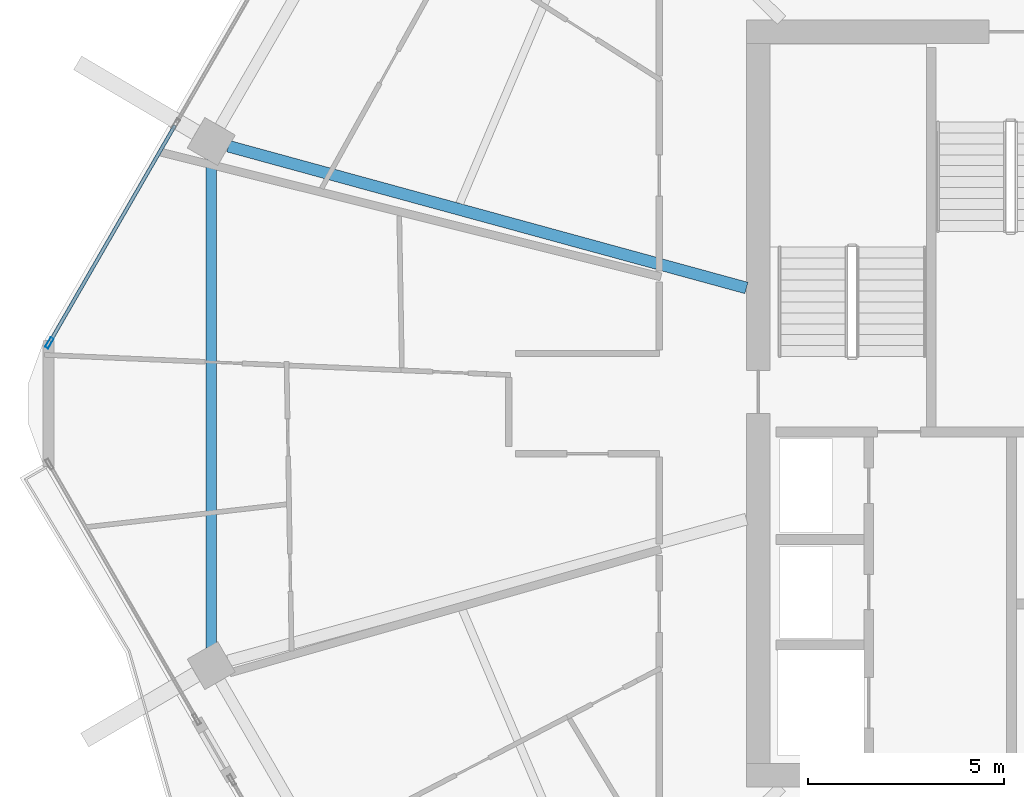
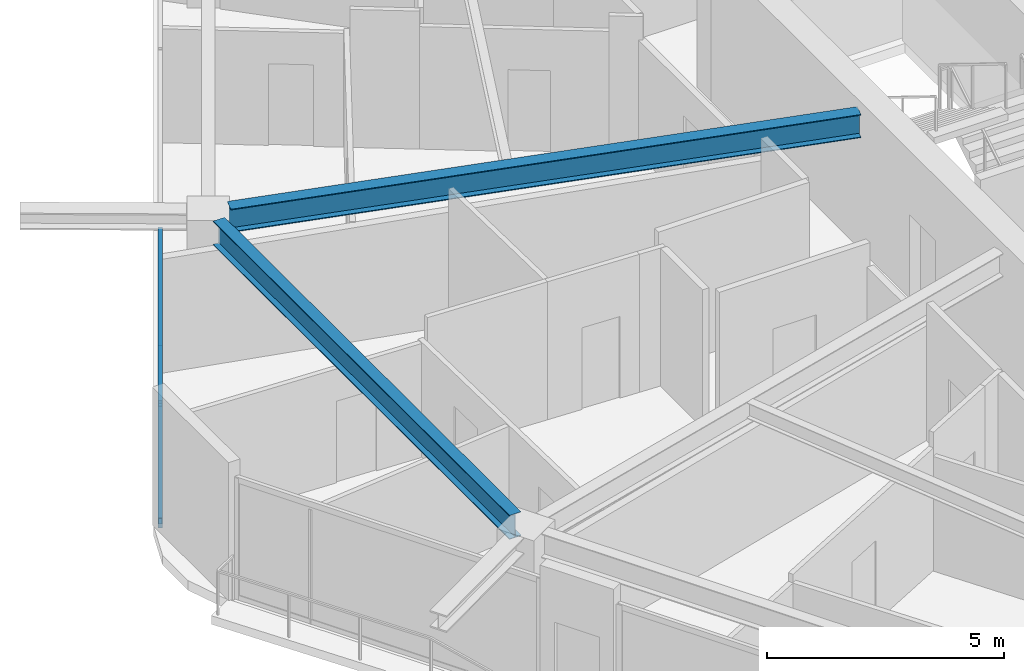
# One storey, part 6 of 26: 3 members, 2 beams, 1 element without a shape of its own.
"""IFC4 building model written with IfcOpenShell, lengths in metres."""

from ifc_helpers import new_model, si_unit, direction, frame, origin, origin_2d, place, context, subcontext, project, spatial, hollow_rectangle, i_section, extrude, material, material_profile, profile_set, type_object, element, aggregate, save


model = new_model("IFC4")

# Units and contexts
model_context = context("Model", 3, precision=1e-05, world=origin(), true_north=direction((0.0, 1.0)))
body_context = subcontext(model_context, "Body", "Model", "MODEL_VIEW")
ifc_project = project(units=[si_unit("LENGTHUNIT", "METRE"), si_unit("AREAUNIT", "SQUARE_METRE"), si_unit("VOLUMEUNIT", "CUBIC_METRE"), si_unit("PLANEANGLEUNIT", "RADIAN"), si_unit("MASSUNIT", "GRAM", prefix="KILO")], contexts=[model_context])

# Site, building, storey
site_placement = place(None, origin())
site = spatial("IfcSite", under=ifc_project, at=site_placement, CompositionType="ELEMENT")
building_placement = place(site_placement, origin())
building = spatial("IfcBuilding", under=site, at=building_placement, Name="Zuhravey Tower", CompositionType="ELEMENT")
storey_placement = place(building_placement, frame((0.0, 0.0, 250.199951171875)))
storey = spatial("IfcBuildingStorey", under=building, at=storey_placement, Name="L63", CompositionType="ELEMENT", Elevation=250.199951171875)

# Curtain wall, members
ifc_material_1 = material(Name="Thermally broken anodised aluminium", Category="aluminium")
curtain_wall_type = type_object("IfcCurtainWallType", Name="Zone 3-4 High-Rise Curtain Wall CW4", PredefinedType="NOTDEFINED", material=ifc_material_1)
curtain_wall_placement = place(storey_placement, origin())
curtain_wall = element("IfcCurtainWall", 1, at=curtain_wall_placement, inside=storey, type_object=curtain_wall_type, Name="L63 CW4 CW-L63-F3-1", PredefinedType="NOTDEFINED")
ifc_material_2 = material(Name="Anodised aluminium", Category="aluminium")
ifc_material_profile_1 = material_profile(ifc_material_2, hollow_rectangle(XDim=0.090087890625, YDim=0.284912109375, WallThickness=0.0048828125, at=origin_2d()), Name="ALU-RHS-90x285x5")
ifc_profile_set_1 = profile_set([ifc_material_profile_1], Name="Anodised aluminium")
member_type_1 = type_object("IfcMemberType", Name="Curtain-Wall Mullion 90x180", PredefinedType="MULLION", material=ifc_profile_set_1)
member_1_placement = place(storey_placement, frame((7.37744140625, 33.551513671875, 0.0), z_axis=(0.0, 0.0, 1.0), x_axis=(-0.866024851021, 0.500000957414, 0.0)))
member_1 = element("IfcMember", 2, at=member_1_placement, type_object=member_type_1, Name="CW4 mullion 1", PredefinedType="MULLION", context=body_context, shape_type="SweptSolid", body=[
    extrude(hollow_rectangle(XDim=0.090087890625, YDim=0.284912109375, WallThickness=0.0048828125, at=origin_2d()), origin(), (0.0, 0.0, 1.0), 3.1220703125),
])
ifc_material_profile_2 = material_profile(ifc_material_2, hollow_rectangle(XDim=0.090087890625, YDim=0.14990234375, WallThickness=0.0048828125, at=origin_2d()), Name="ALU-RHS-90x150x5")
ifc_profile_set_2 = profile_set([ifc_material_profile_2], Name="Anodised aluminium")
member_type_2 = type_object("IfcMemberType", Name="Curtain-Wall Transom 90x150", PredefinedType="USERDEFINED", material=ifc_profile_set_2)
member_2_placement = place(storey_placement, frame((7.39990234375, 33.59033203125, 0.045166015625), z_axis=(0.500008810174, 0.866020317169, 0.0), x_axis=(-0.866020317169, 0.500008810174, 0.0)))
member_2 = element("IfcMember", 3, at=member_2_placement, type_object=member_type_2, Name="CW4 transom 1.1", ObjectType="TRANSOM", PredefinedType="USERDEFINED", context=body_context, shape_type="SweptSolid", body=[
    extrude(hollow_rectangle(XDim=0.090087890625, YDim=0.14990234375, WallThickness=0.0048828125, at=origin_2d()), origin(), (0.0, 0.0, 1.0), 6.37158203125),
])
member_3_placement = place(storey_placement, frame((7.39990234375, 33.59033203125, 3.0771484375), z_axis=(0.500008810174, 0.866020317169, 0.0), x_axis=(-0.866020317169, 0.500008810174, 0.0)))
member_3 = element("IfcMember", 4, at=member_3_placement, type_object=member_type_2, Name="CW4 transom 1.2", ObjectType="TRANSOM", PredefinedType="USERDEFINED", context=body_context, shape_type="SweptSolid", body=[
    extrude(hollow_rectangle(XDim=0.090087890625, YDim=0.14990234375, WallThickness=0.0048828125, at=origin_2d()), origin(), (0.0, 0.0, 1.0), 6.37158203125),
])
aggregate(curtain_wall, [member_1, member_2, member_3])

# Beams
ifc_material_3 = material(Name="Steel SM355", Category="steel")
ifc_material_profile_3 = material_profile(ifc_material_3, i_section(OverallWidth=0.280029296875, OverallDepth=0.6201171875, WebThickness=0.011962890625, FlangeThickness=0.02001953125, at=origin_2d()), Name="H-620x280x12x20")
ifc_profile_set_3 = profile_set([ifc_material_profile_3], Name="Steel SM355")
beam_type_1 = type_object("IfcBeamType", Name="Perimeter Ring Beam H620x280", PredefinedType="BEAM", material=ifc_profile_set_3)
beam_1_placement = place(storey_placement, frame((11.515380859375, 38.245849609375, 3.239990234375), z_axis=(0.0, -1.0, 0.0), x_axis=(1.0, 0.0, 0.0)))
element("IfcBeam", 5, at=beam_1_placement, inside=storey, type_object=beam_type_1, Name="L63 PB3 BM-L63-PB-06", PredefinedType="BEAM", context=body_context, shape_type="SweptSolid", body=[
    extrude(i_section(OverallWidth=0.280029296875, OverallDepth=0.6201171875, WebThickness=0.011962890625, FlangeThickness=0.02001953125, at=origin_2d()), origin(), (0.0, 0.0, 1.0), 12.49169921875),
])
ifc_material_profile_4 = material_profile(ifc_material_3, i_section(OverallWidth=0.300048828125, OverallDepth=0.60009765625, WebThickness=0.011962890625, FlangeThickness=0.02001953125, at=origin_2d()), Name="H-600x300x12x20")
ifc_profile_set_4 = profile_set([ifc_material_profile_4], Name="Steel SM355")
beam_type_2 = type_object("IfcBeamType", Name="Radial Primary Girder H600x300", PredefinedType="BEAM", material=ifc_profile_set_4)
beam_2_placement = place(storey_placement, frame((25.197021484375, 34.95556640625, 3.25), z_axis=(-0.964548913045, 0.26390413855, 0.0), x_axis=(-0.26390413855, -0.964548913045, 0.0)))
element("IfcBeam", 6, at=beam_2_placement, inside=storey, type_object=beam_type_2, Name="L63 RG3 BM-L63-RAD-06", PredefinedType="BEAM", context=body_context, shape_type="SweptSolid", body=[
    extrude(i_section(OverallWidth=0.300048828125, OverallDepth=0.60009765625, WebThickness=0.011962890625, FlangeThickness=0.02001953125, at=origin_2d()), origin(), (0.0, 0.0, 1.0), 13.7314453125),
])

save(model, "model.ifc")
